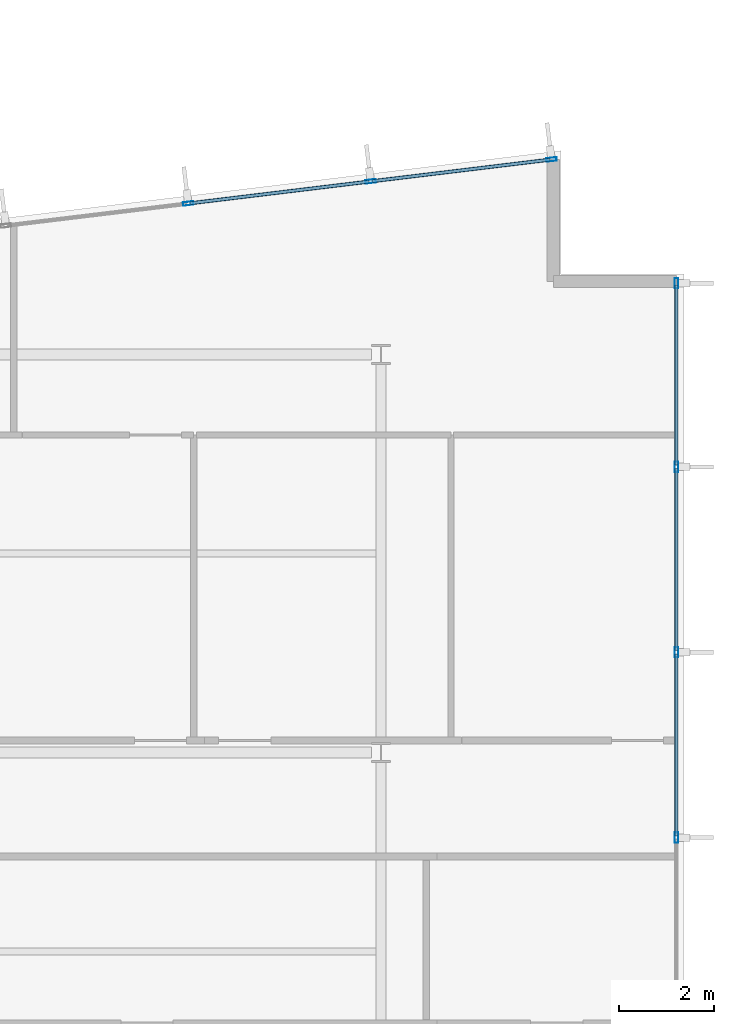
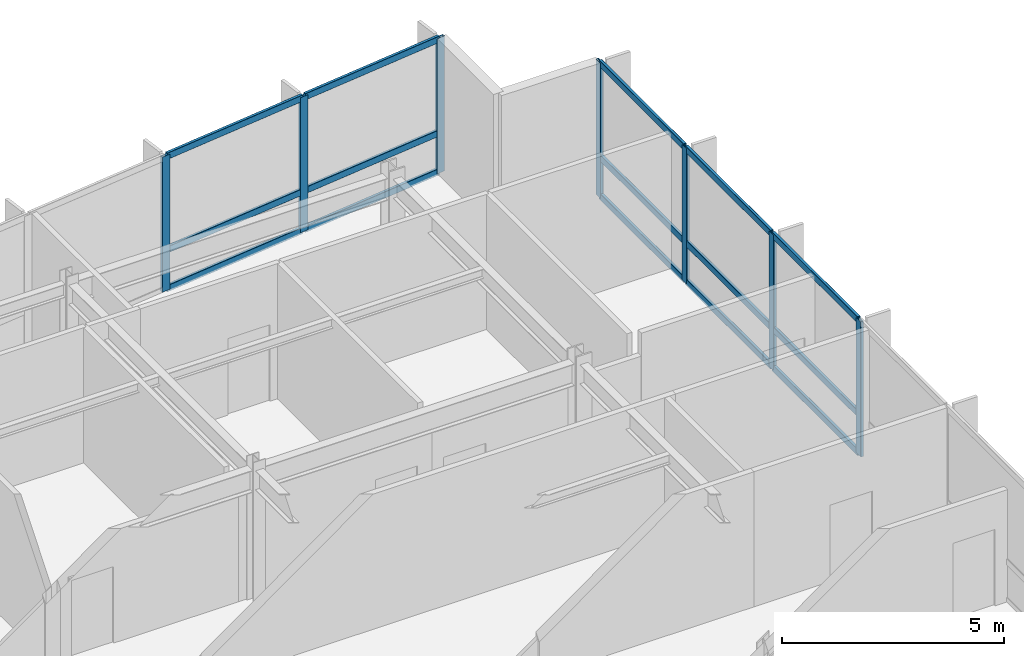
# One storey, part 8 of 18: 22 members, 2 elements without a shape of their own.
"""IFC4 building model written with IfcOpenShell, lengths in metres."""

import ifcopenshell
import ifcopenshell.guid

model = None  # the IFC model being written
_history = None  # IfcOwnerHistory: only IFC2X3 demands one
_inside = {}  # id of a spatial element -> (the spatial element, [elements in it])
_under = {}  # id of a project, library or spatial element -> (it, [spatial elements below it])
_declared = {}  # id of a project -> (the project, [libraries it declares])
_typed = {}  # id of a type object -> (the type object, [elements of that type])
_made_of = {}  # id of a material, layer set ... -> (it, [elements and type objects made of it])


def new_model(schema):
    """Start an empty IFC model of exactly this schema.

    Asked for "IFC4X3", IfcOpenShell would pick the latest addendum, in which some entities
    have other attributes; the version numbers below select the first issue.
    IFC2X3 requires an IfcOwnerHistory on every rooted entity: one is made here for all.
    """
    global model, _history
    if schema == "IFC4X3":
        model = ifcopenshell.file(schema_version=(4, 3, 0, 0))
    else:
        model = ifcopenshell.file(schema=schema)
    _inside.clear()
    _under.clear()
    _declared.clear()
    _typed.clear()
    _made_of.clear()
    _history = None
    if model.schema == "IFC2X3":
        org = make("IfcOrganization", Name="unknown")
        user = make(
            "IfcPersonAndOrganization",
            ThePerson=make("IfcPerson", FamilyName="unknown"),
            TheOrganization=org,
        )
        app = make(
            "IfcApplication",
            ApplicationDeveloper=org,
            Version="unknown",
            ApplicationFullName="unknown",
            ApplicationIdentifier="unknown",
        )
        _history = make(
            "IfcOwnerHistory",
            OwningUser=user,
            OwningApplication=app,
            ChangeAction="ADDED",
            CreationDate=0,
        )
    return model


def make(cls, **values):
    """One entity of the class cls with the attributes given. An attribute that is None is left unset."""
    return model.create_entity(
        cls, **{name: value for name, value in values.items() if value is not None}
    )


def rooted(cls, **values):
    """An entity with a GlobalId (a new one), such as an element, a storey or a relation."""
    return make(cls, GlobalId=ifcopenshell.guid.new(), OwnerHistory=_history, **values)


def si_unit(unit_type, name, prefix=None):
    """IfcSIUnit, for example si_unit("LENGTHUNIT", "METRE", prefix="MILLI")."""
    return make("IfcSIUnit", UnitType=unit_type, Prefix=prefix, Name=name)


def assignment(units):
    """IfcUnitAssignment: the units of a project."""
    return None if units is None else make("IfcUnitAssignment", Units=units)


def point(xyz):
    """IfcCartesianPoint."""
    return None if xyz is None else make("IfcCartesianPoint", Coordinates=xyz)


def direction(xyz):
    """IfcDirection."""
    return None if xyz is None else make("IfcDirection", DirectionRatios=xyz)


def frame(location, z_axis=None, x_axis=None):
    """IfcAxis2Placement3D, a coordinate frame: its origin and axes. An axis left out is left unset."""
    return make(
        "IfcAxis2Placement3D",
        Location=point(location),
        Axis=direction(z_axis),
        RefDirection=direction(x_axis),
    )


def frame_2d(location, x_axis=None):
    """IfcAxis2Placement2D, a coordinate frame in the plane: its origin and x axis."""
    return make(
        "IfcAxis2Placement2D", Location=point(location), RefDirection=direction(x_axis)
    )


def origin():
    """The frame at (0, 0, 0) with its axes left unset."""
    return frame((0.0, 0.0, 0.0))


def origin_2d():
    """The frame at (0, 0) in the plane with its x axis left unset."""
    return frame_2d((0.0, 0.0))


def place(relative_to, where):
    """IfcLocalPlacement: puts the frame where relative to a parent placement (None: the world)."""
    return make(
        "IfcLocalPlacement", PlacementRelTo=relative_to, RelativePlacement=where
    )


def context(
    kind, dimensions, precision=None, world=None, true_north=None, identifier=None
):
    """IfcGeometricRepresentationContext, for example the 3D "Model" context."""
    return make(
        "IfcGeometricRepresentationContext",
        ContextIdentifier=identifier,
        ContextType=kind,
        CoordinateSpaceDimension=dimensions,
        Precision=precision,
        WorldCoordinateSystem=world,
        TrueNorth=true_north,
    )


def subcontext(parent, identifier, kind, view, scale=None):
    """IfcGeometricRepresentationSubContext, for example "Body" below "Model"."""
    return make(
        "IfcGeometricRepresentationSubContext",
        ContextIdentifier=identifier,
        ContextType=kind,
        ParentContext=parent,
        TargetScale=scale,
        TargetView=view,
    )


def project(units=None, contexts=None):
    """IfcProject with its units and contexts."""
    return rooted(
        "IfcProject",
        Name="project",
        RepresentationContexts=contexts,
        UnitsInContext=assignment(units),
    )


def spatial(cls, under=None, at=None, **own):
    """A site, building, storey or space (cls), placed at a placement, below another one or the project."""
    s = rooted(cls, ObjectPlacement=at, **own)
    if under is not None:
        _under.setdefault(under.id(), (under, []))[1].append(s)
    return s


def profile(cls, at=None, kind="AREA", **sizes):
    """A parametric profile (cls). Its sizes go by their IFC names, for example OverallWidth=200.0."""
    return make(cls, ProfileType=kind, Position=at, **sizes)


def hollow_rectangle(**sizes):
    """IfcRectangleHollowProfileDef."""
    return profile("IfcRectangleHollowProfileDef", **sizes)


def extrude(swept, where, along, depth):
    """IfcExtrudedAreaSolid: the profile swept, set in the frame where, extruded along a direction by depth."""
    return make(
        "IfcExtrudedAreaSolid",
        SweptArea=swept,
        Position=where,
        ExtrudedDirection=direction(along),
        Depth=depth,
    )


def shape(context_of_items, identifier, shape_type, items):
    """IfcShapeRepresentation: the items that make up one representation, for example the "Body"."""
    return make(
        "IfcShapeRepresentation",
        ContextOfItems=context_of_items,
        RepresentationIdentifier=identifier,
        RepresentationType=shape_type,
        Items=items,
    )


def material(Name=None, Category=None):
    """IfcMaterial."""
    return make("IfcMaterial", Name=Name, Category=Category)


def layer(
    of_material, thickness, ventilated=None, Name=None, Category=None, Priority=None
):
    """IfcMaterialLayer: one layer of a wall or slab, of a material (None: an air gap)."""
    return make(
        "IfcMaterialLayer",
        Material=of_material,
        LayerThickness=thickness,
        IsVentilated=ventilated,
        Name=Name,
        Category=Category,
        Priority=Priority,
    )


def layer_set(layers, Name=None):
    """IfcMaterialLayerSet."""
    return make("IfcMaterialLayerSet", MaterialLayers=layers, LayerSetName=Name)


def material_profile(
    of_material, cross_section, Name=None, Category=None, Priority=None
):
    """IfcMaterialProfile: a cross section and its material."""
    return make(
        "IfcMaterialProfile",
        Name=Name,
        Material=of_material,
        Profile=cross_section,
        Priority=Priority,
        Category=Category,
    )


def profile_set(profiles, Name=None, composite=None):
    """IfcMaterialProfileSet."""
    return make(
        "IfcMaterialProfileSet",
        Name=Name,
        MaterialProfiles=profiles,
        CompositeProfile=composite,
    )


def made_of(thing, what):
    """Note that an element or type object is made of a material, layer set ...; save() writes the relation."""
    if what is not None:
        _made_of.setdefault(what.id(), (what, []))[1].append(thing)
    return thing


def type_object(cls, material=None, **own):
    """A type object (cls), such as IfcWallType, which elements share."""
    return made_of(rooted(cls, **own), material)


def element(
    cls,
    number,
    at=None,
    inside=None,
    cuts=None,
    type_object=None,
    material=None,
    context=None,
    identifier="Body",
    shape_type=None,
    held_by="IfcProductDefinitionShape",
    body=None,
    shapes=None,
    **own,
):
    """One element of the class cls, such as IfcWall. Its Tag is "e" and its number.

    at: its placement. inside: the storey or other place that contains it. cuts: it is an
    opening in that element (IfcRelVoidsElement). A single representation is given by context,
    identifier, shape_type and body (its items); several are given by shapes. held_by: the class
    of the entity that holds the representations. save() writes the other relations.
    """
    e = rooted(cls, Tag="e%d" % number, ObjectPlacement=at, **own)
    if body is not None:
        shapes = [shape(context, identifier, shape_type, body)]
    if shapes is not None:
        e.Representation = make(held_by, Representations=shapes)
    if inside is not None:
        _inside.setdefault(inside.id(), (inside, []))[1].append(e)
    if cuts is not None:
        rooted(
            "IfcRelVoidsElement", RelatingBuildingElement=cuts, RelatedOpeningElement=e
        )
    if type_object is not None:
        _typed.setdefault(type_object.id(), (type_object, []))[1].append(e)
    return made_of(e, material)


def aggregate(whole, parts):
    """IfcRelAggregates: a whole, such as a stair, and the parts it consists of."""
    return rooted("IfcRelAggregates", RelatingObject=whole, RelatedObjects=parts)


def save(model, path):
    """Write the relations noted so far, then the file.

    IfcRelAggregates (storeys below a building ...), IfcRelContainedInSpatialStructure (elements
    in a storey), IfcRelDefinesByType, IfcRelAssociatesMaterial and IfcRelDeclares: one each for
    every whole, place, type object, material and project.
    """
    for whole, parts in _under.values():
        aggregate(whole, parts)
    for where, things in _inside.values():
        rooted(
            "IfcRelContainedInSpatialStructure",
            RelatedElements=things,
            RelatingStructure=where,
        )
    for kind, things in _typed.values():
        rooted("IfcRelDefinesByType", RelatedObjects=things, RelatingType=kind)
    for what, things in _made_of.values():
        rooted("IfcRelAssociatesMaterial", RelatedObjects=things, RelatingMaterial=what)
    for by, libraries in _declared.values():
        rooted("IfcRelDeclares", RelatingContext=by, RelatedDefinitions=libraries)
    model.write(path)


model = new_model("IFC4")

# Units and contexts
model_context = context("Model", 3, precision=1e-05, world=origin(), true_north=direction((0.0, 1.0)))
body_context = subcontext(model_context, "Body", "Model", "MODEL_VIEW")
ifc_project = project(units=[si_unit("LENGTHUNIT", "METRE"), si_unit("AREAUNIT", "SQUARE_METRE"), si_unit("VOLUMEUNIT", "CUBIC_METRE"), si_unit("PLANEANGLEUNIT", "RADIAN"), si_unit("MASSUNIT", "GRAM", prefix="KILO")], contexts=[model_context])

# Site, building, storey
site_placement = place(None, origin())
site = spatial("IfcSite", under=ifc_project, at=site_placement, CompositionType="ELEMENT")
building_placement = place(site_placement, origin())
building = spatial("IfcBuilding", under=site, at=building_placement, Name="Varnakote Quay Hospital", CompositionType="ELEMENT")
storey_placement = place(building_placement, frame((0.0, 0.0, 119.14990234375)))
storey = spatial("IfcBuildingStorey", under=building, at=storey_placement, Name="L29", CompositionType="ELEMENT", Elevation=119.14990234375)

# Curtain wall, members
ifc_material_1 = material(Name="Anodised aluminium 6063-T6 Bronze", Category="aluminium")
ifc_layer = layer(ifc_material_1, 0.205078125)
ifc_layer_set = layer_set([ifc_layer], Name="Anodised aluminium 6063-T6 Bronze")
curtain_wall_type = type_object("IfcCurtainWallType", Name="CW-SYS-3", PredefinedType="NOTDEFINED", material=ifc_layer_set)
curtain_wall_1_placement = place(storey_placement, origin())
curtain_wall_1 = element("IfcCurtainWall", 1, at=curtain_wall_1_placement, inside=storey, type_object=curtain_wall_type, Name="L29 Unitised Bronze Curtain Wall 1", PredefinedType="NOTDEFINED")
ifc_material_2 = material(Name="Anodised aluminium 6063-T6 Bronze", Category="aluminium")
ifc_material_profile_1 = material_profile(ifc_material_2, hollow_rectangle(XDim=0.074951171875, YDim=0.219970703125, WallThickness=0.00439453125, InnerFilletRadius=0.00439453125, OuterFilletRadius=0.009033203125, at=origin_2d()), Name="CW-MULL-220x75")
ifc_profile_set_1 = profile_set([ifc_material_profile_1], Name="Anodised aluminium 6063-T6 Bronze")
member_type_1 = type_object("IfcMemberType", Name="CW-MULL-220x75", PredefinedType="MULLION", material=ifc_profile_set_1)
member_1_placement = place(storey_placement, frame((56.639892578125, 18.60009765625, 0.0), z_axis=(0.0, 0.0, 1.0), x_axis=(-1.0, 0.0, 0.0)))
member_1 = element("IfcMember", 2, at=member_1_placement, type_object=member_type_1, Name="-3-L29-1 mullion 4", PredefinedType="MULLION", context=body_context, shape_type="SweptSolid", body=[
    extrude(hollow_rectangle(XDim=0.074951171875, YDim=0.219970703125, WallThickness=0.00439453125, InnerFilletRadius=0.00439453125, OuterFilletRadius=0.009033203125, at=origin_2d()), origin(), (0.0, 0.0, 1.0), 3.710205078125),
])
member_2_placement = place(storey_placement, frame((56.639892578125, 22.513427734375, 0.0), z_axis=(0.0, 0.0, 1.0), x_axis=(-1.0, 0.0, 0.0)))
member_2 = element("IfcMember", 3, at=member_2_placement, type_object=member_type_1, Name="-3-L29-1 mullion 5", PredefinedType="MULLION", context=body_context, shape_type="SweptSolid", body=[
    extrude(hollow_rectangle(XDim=0.074951171875, YDim=0.219970703125, WallThickness=0.00439453125, InnerFilletRadius=0.00439453125, OuterFilletRadius=0.009033203125, at=origin_2d()), origin(), (0.0, 0.0, 1.0), 3.710205078125),
])
member_3_placement = place(storey_placement, frame((56.639892578125, 26.4267578125, 0.0), z_axis=(0.0, 0.0, 1.0), x_axis=(-1.0, 0.0, 0.0)))
member_3 = element("IfcMember", 4, at=member_3_placement, type_object=member_type_1, Name="-3-L29-1 mullion 6", PredefinedType="MULLION", context=body_context, shape_type="SweptSolid", body=[
    extrude(hollow_rectangle(XDim=0.074951171875, YDim=0.219970703125, WallThickness=0.00439453125, InnerFilletRadius=0.00439453125, OuterFilletRadius=0.009033203125, at=origin_2d()), origin(), (0.0, 0.0, 1.0), 3.710205078125),
])
member_4_placement = place(storey_placement, frame((56.639892578125, 30.302490234375, 0.0), z_axis=(0.0, 0.0, 1.0), x_axis=(-1.0, 0.0, 0.0)))
member_4 = element("IfcMember", 5, at=member_4_placement, type_object=member_type_1, Name="-3-L29-1 mullion 7", PredefinedType="MULLION", context=body_context, shape_type="SweptSolid", body=[
    extrude(hollow_rectangle(XDim=0.074951171875, YDim=0.219970703125, WallThickness=0.00439453125, InnerFilletRadius=0.00439453125, OuterFilletRadius=0.009033203125, at=origin_2d()), origin(), (0.0, 0.0, 1.0), 3.710205078125),
])

curtain_wall_2_placement = place(storey_placement, origin())
curtain_wall_2 = element("IfcCurtainWall", 6, at=curtain_wall_2_placement, inside=storey, type_object=curtain_wall_type, Name="L29 Unitised Bronze Curtain Wall 2", PredefinedType="NOTDEFINED")
member_5_placement = place(storey_placement, frame((54.002685546875, 32.914794921875, 0.0), z_axis=(0.0, 0.0, 1.0), x_axis=(0.12032713492, -0.992734295067, 0.0)))
member_5 = element("IfcMember", 7, at=member_5_placement, type_object=member_type_1, Name="-3-L29-2 mullion 1", PredefinedType="MULLION", context=body_context, shape_type="SweptSolid", body=[
    extrude(hollow_rectangle(XDim=0.074951171875, YDim=0.219970703125, WallThickness=0.00439453125, InnerFilletRadius=0.00439453125, OuterFilletRadius=0.009033203125, at=origin_2d()), origin(), (0.0, 0.0, 1.0), 3.710205078125),
])
member_6_placement = place(storey_placement, frame((50.1875, 32.452392578125, 0.0), z_axis=(0.0, 0.0, 1.0), x_axis=(0.12032713492, -0.992734295067, 0.0)))
member_6 = element("IfcMember", 8, at=member_6_placement, type_object=member_type_1, Name="-3-L29-2 mullion 2", PredefinedType="MULLION", context=body_context, shape_type="SweptSolid", body=[
    extrude(hollow_rectangle(XDim=0.074951171875, YDim=0.219970703125, WallThickness=0.00439453125, InnerFilletRadius=0.00439453125, OuterFilletRadius=0.009033203125, at=origin_2d()), origin(), (0.0, 0.0, 1.0), 3.710205078125),
])
member_7_placement = place(storey_placement, frame((46.3349609375, 31.985595703125, 0.0), z_axis=(0.0, 0.0, 1.0), x_axis=(0.12032713492, -0.992734295067, 0.0)))
member_7 = element("IfcMember", 9, at=member_7_placement, type_object=member_type_1, Name="-3-L29-2 mullion 3", PredefinedType="MULLION", context=body_context, shape_type="SweptSolid", body=[
    extrude(hollow_rectangle(XDim=0.074951171875, YDim=0.219970703125, WallThickness=0.00439453125, InnerFilletRadius=0.00439453125, OuterFilletRadius=0.009033203125, at=origin_2d()), origin(), (0.0, 0.0, 1.0), 3.710205078125),
])

# Member
ifc_material_3 = material(Name="Anodised aluminium 6063-T6 Bronze", Category="aluminium")
ifc_material_profile_2 = material_profile(ifc_material_3, hollow_rectangle(XDim=0.074951171875, YDim=0.179931640625, WallThickness=0.004150390625, InnerFilletRadius=0.004150390625, OuterFilletRadius=0.00830078125, at=origin_2d()), Name="CW-TRAN-180x75")
ifc_profile_set_2 = profile_set([ifc_material_profile_2], Name="Anodised aluminium 6063-T6 Bronze")
member_type_2 = type_object("IfcMemberType", Name="CW-TRAN-180x75", PredefinedType="USERDEFINED", material=ifc_profile_set_2)
member_8_placement = place(storey_placement, frame((56.639892578125, 18.637451171875, 0.03759765625), z_axis=(0.0, 1.0, 0.0), x_axis=(-1.0, 0.0, 0.0)))
member_8 = element("IfcMember", 10, at=member_8_placement, type_object=member_type_2, Name="-3-L29-1 transom 4.1", ObjectType="TRANSOM", PredefinedType="USERDEFINED", context=body_context, shape_type="SweptSolid", body=[
    extrude(hollow_rectangle(XDim=0.074951171875, YDim=0.179931640625, WallThickness=0.004150390625, InnerFilletRadius=0.004150390625, OuterFilletRadius=0.00830078125, at=origin_2d()), origin(), (0.0, 0.0, 1.0), 3.83837890625),
])

member_9_placement = place(storey_placement, frame((56.639892578125, 18.637451171875, 1.10009765625), z_axis=(0.0, 1.0, 0.0), x_axis=(-1.0, 0.0, 0.0)))
member_9 = element("IfcMember", 11, at=member_9_placement, type_object=member_type_2, Name="-3-L29-1 transom 4.2", ObjectType="TRANSOM", PredefinedType="USERDEFINED", context=body_context, shape_type="SweptSolid", body=[
    extrude(hollow_rectangle(XDim=0.074951171875, YDim=0.179931640625, WallThickness=0.004150390625, InnerFilletRadius=0.004150390625, OuterFilletRadius=0.00830078125, at=origin_2d()), origin(), (0.0, 0.0, 1.0), 3.83837890625),
])

member_10_placement = place(storey_placement, frame((56.639892578125, 18.637451171875, 3.672607421875), z_axis=(0.0, 1.0, 0.0), x_axis=(-1.0, 0.0, 0.0)))
member_10 = element("IfcMember", 12, at=member_10_placement, type_object=member_type_2, Name="-3-L29-1 transom 4.3", ObjectType="TRANSOM", PredefinedType="USERDEFINED", context=body_context, shape_type="SweptSolid", body=[
    extrude(hollow_rectangle(XDim=0.074951171875, YDim=0.179931640625, WallThickness=0.004150390625, InnerFilletRadius=0.004150390625, OuterFilletRadius=0.00830078125, at=origin_2d()), origin(), (0.0, 0.0, 1.0), 3.83837890625),
])

member_11_placement = place(storey_placement, frame((56.639892578125, 22.55078125, 0.03759765625), z_axis=(0.0, 1.0, 0.0), x_axis=(-1.0, 0.0, 0.0)))
member_11 = element("IfcMember", 13, at=member_11_placement, type_object=member_type_2, Name="-3-L29-1 transom 5.1", ObjectType="TRANSOM", PredefinedType="USERDEFINED", context=body_context, shape_type="SweptSolid", body=[
    extrude(hollow_rectangle(XDim=0.074951171875, YDim=0.179931640625, WallThickness=0.004150390625, InnerFilletRadius=0.004150390625, OuterFilletRadius=0.00830078125, at=origin_2d()), origin(), (0.0, 0.0, 1.0), 3.83837890625),
])

member_12_placement = place(storey_placement, frame((56.639892578125, 22.55078125, 1.10009765625), z_axis=(0.0, 1.0, 0.0), x_axis=(-1.0, 0.0, 0.0)))
member_12 = element("IfcMember", 14, at=member_12_placement, type_object=member_type_2, Name="-3-L29-1 transom 5.2", ObjectType="TRANSOM", PredefinedType="USERDEFINED", context=body_context, shape_type="SweptSolid", body=[
    extrude(hollow_rectangle(XDim=0.074951171875, YDim=0.179931640625, WallThickness=0.004150390625, InnerFilletRadius=0.004150390625, OuterFilletRadius=0.00830078125, at=origin_2d()), origin(), (0.0, 0.0, 1.0), 3.83837890625),
])

member_13_placement = place(storey_placement, frame((56.639892578125, 22.55078125, 3.672607421875), z_axis=(0.0, 1.0, 0.0), x_axis=(-1.0, 0.0, 0.0)))
member_13 = element("IfcMember", 15, at=member_13_placement, type_object=member_type_2, Name="-3-L29-1 transom 5.3", ObjectType="TRANSOM", PredefinedType="USERDEFINED", context=body_context, shape_type="SweptSolid", body=[
    extrude(hollow_rectangle(XDim=0.074951171875, YDim=0.179931640625, WallThickness=0.004150390625, InnerFilletRadius=0.004150390625, OuterFilletRadius=0.00830078125, at=origin_2d()), origin(), (0.0, 0.0, 1.0), 3.83837890625),
])

member_14_placement = place(storey_placement, frame((56.639892578125, 26.464111328125, 0.03759765625), z_axis=(0.0, 1.0, 0.0), x_axis=(-1.0, 0.0, 0.0)))
member_14 = element("IfcMember", 16, at=member_14_placement, type_object=member_type_2, Name="-3-L29-1 transom 6.1", ObjectType="TRANSOM", PredefinedType="USERDEFINED", context=body_context, shape_type="SweptSolid", body=[
    extrude(hollow_rectangle(XDim=0.074951171875, YDim=0.179931640625, WallThickness=0.004150390625, InnerFilletRadius=0.004150390625, OuterFilletRadius=0.00830078125, at=origin_2d()), origin(), (0.0, 0.0, 1.0), 3.80078125),
])

member_15_placement = place(storey_placement, frame((56.639892578125, 26.464111328125, 1.10009765625), z_axis=(0.0, 1.0, 0.0), x_axis=(-1.0, 0.0, 0.0)))
member_15 = element("IfcMember", 17, at=member_15_placement, type_object=member_type_2, Name="-3-L29-1 transom 6.2", ObjectType="TRANSOM", PredefinedType="USERDEFINED", context=body_context, shape_type="SweptSolid", body=[
    extrude(hollow_rectangle(XDim=0.074951171875, YDim=0.179931640625, WallThickness=0.004150390625, InnerFilletRadius=0.004150390625, OuterFilletRadius=0.00830078125, at=origin_2d()), origin(), (0.0, 0.0, 1.0), 3.80078125),
])

member_16_placement = place(storey_placement, frame((56.639892578125, 26.464111328125, 3.672607421875), z_axis=(0.0, 1.0, 0.0), x_axis=(-1.0, 0.0, 0.0)))
member_16 = element("IfcMember", 18, at=member_16_placement, type_object=member_type_2, Name="-3-L29-1 transom 6.3", ObjectType="TRANSOM", PredefinedType="USERDEFINED", context=body_context, shape_type="SweptSolid", body=[
    extrude(hollow_rectangle(XDim=0.074951171875, YDim=0.179931640625, WallThickness=0.004150390625, InnerFilletRadius=0.004150390625, OuterFilletRadius=0.00830078125, at=origin_2d()), origin(), (0.0, 0.0, 1.0), 3.80078125),
])

aggregate(curtain_wall_1, [member_1, member_2, member_3, member_4, member_8, member_9, member_10, member_11, member_12, member_13, member_14, member_15, member_16])

member_17_placement = place(storey_placement, frame((53.965576171875, 32.910400390625, 0.03759765625), z_axis=(-0.992735423717, -0.120317822859, 0.0), x_axis=(0.120317822859, -0.992735423717, 0.0)))
member_17 = element("IfcMember", 19, at=member_17_placement, type_object=member_type_2, Name="-3-L29-2 transom 1.1", ObjectType="TRANSOM", PredefinedType="USERDEFINED", context=body_context, shape_type="SweptSolid", body=[
    extrude(hollow_rectangle(XDim=0.074951171875, YDim=0.179931640625, WallThickness=0.004150390625, InnerFilletRadius=0.004150390625, OuterFilletRadius=0.00830078125, at=origin_2d()), origin(), (0.0, 0.0, 1.0), 3.76806640625),
])

member_18_placement = place(storey_placement, frame((53.965576171875, 32.910400390625, 1.10009765625), z_axis=(-0.992735423717, -0.120317822859, 0.0), x_axis=(0.120317822859, -0.992735423717, 0.0)))
member_18 = element("IfcMember", 20, at=member_18_placement, type_object=member_type_2, Name="-3-L29-2 transom 1.2", ObjectType="TRANSOM", PredefinedType="USERDEFINED", context=body_context, shape_type="SweptSolid", body=[
    extrude(hollow_rectangle(XDim=0.074951171875, YDim=0.179931640625, WallThickness=0.004150390625, InnerFilletRadius=0.004150390625, OuterFilletRadius=0.00830078125, at=origin_2d()), origin(), (0.0, 0.0, 1.0), 3.76806640625),
])

member_19_placement = place(storey_placement, frame((53.965576171875, 32.910400390625, 3.672607421875), z_axis=(-0.992735423717, -0.120317822859, 0.0), x_axis=(0.120317822859, -0.992735423717, 0.0)))
member_19 = element("IfcMember", 21, at=member_19_placement, type_object=member_type_2, Name="-3-L29-2 transom 1.3", ObjectType="TRANSOM", PredefinedType="USERDEFINED", context=body_context, shape_type="SweptSolid", body=[
    extrude(hollow_rectangle(XDim=0.074951171875, YDim=0.179931640625, WallThickness=0.004150390625, InnerFilletRadius=0.004150390625, OuterFilletRadius=0.00830078125, at=origin_2d()), origin(), (0.0, 0.0, 1.0), 3.76806640625),
])

member_20_placement = place(storey_placement, frame((50.150390625, 32.447998046875, 0.03759765625), z_axis=(-0.992731924158, -0.120346694005, 0.0), x_axis=(0.120346694005, -0.992731924158, 0.0)))
member_20 = element("IfcMember", 22, at=member_20_placement, type_object=member_type_2, Name="-3-L29-2 transom 2.1", ObjectType="TRANSOM", PredefinedType="USERDEFINED", context=body_context, shape_type="SweptSolid", body=[
    extrude(hollow_rectangle(XDim=0.074951171875, YDim=0.179931640625, WallThickness=0.004150390625, InnerFilletRadius=0.004150390625, OuterFilletRadius=0.00830078125, at=origin_2d()), origin(), (0.0, 0.0, 1.0), 3.8056640625),
])

member_21_placement = place(storey_placement, frame((50.150390625, 32.447998046875, 1.10009765625), z_axis=(-0.992731924158, -0.120346694005, 0.0), x_axis=(0.120346694005, -0.992731924158, 0.0)))
member_21 = element("IfcMember", 23, at=member_21_placement, type_object=member_type_2, Name="-3-L29-2 transom 2.2", ObjectType="TRANSOM", PredefinedType="USERDEFINED", context=body_context, shape_type="SweptSolid", body=[
    extrude(hollow_rectangle(XDim=0.074951171875, YDim=0.179931640625, WallThickness=0.004150390625, InnerFilletRadius=0.004150390625, OuterFilletRadius=0.00830078125, at=origin_2d()), origin(), (0.0, 0.0, 1.0), 3.8056640625),
])

member_22_placement = place(storey_placement, frame((50.150390625, 32.447998046875, 3.672607421875), z_axis=(-0.992731924158, -0.120346694005, 0.0), x_axis=(0.120346694005, -0.992731924158, 0.0)))
member_22 = element("IfcMember", 24, at=member_22_placement, type_object=member_type_2, Name="-3-L29-2 transom 2.3", ObjectType="TRANSOM", PredefinedType="USERDEFINED", context=body_context, shape_type="SweptSolid", body=[
    extrude(hollow_rectangle(XDim=0.074951171875, YDim=0.179931640625, WallThickness=0.004150390625, InnerFilletRadius=0.004150390625, OuterFilletRadius=0.00830078125, at=origin_2d()), origin(), (0.0, 0.0, 1.0), 3.8056640625),
])

aggregate(curtain_wall_2, [member_5, member_6, member_7, member_17, member_18, member_19, member_20, member_21, member_22])

save(model, "model.ifc")
